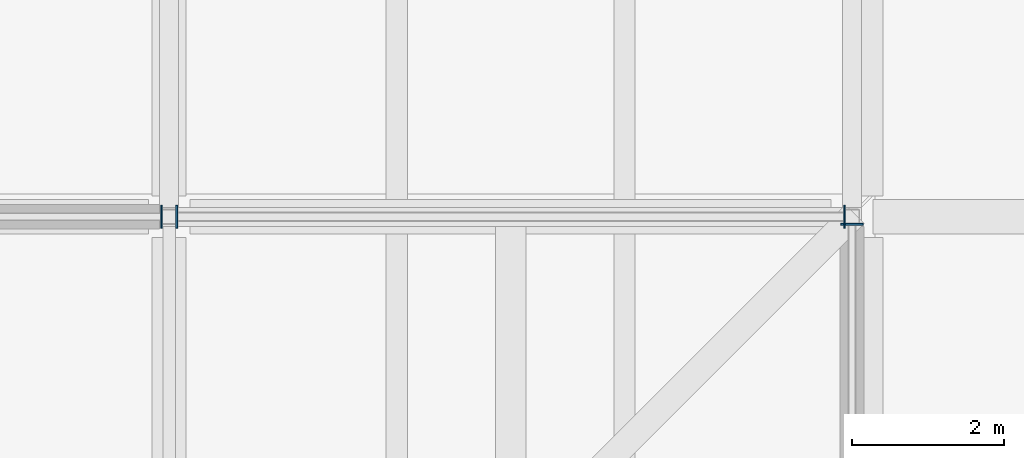
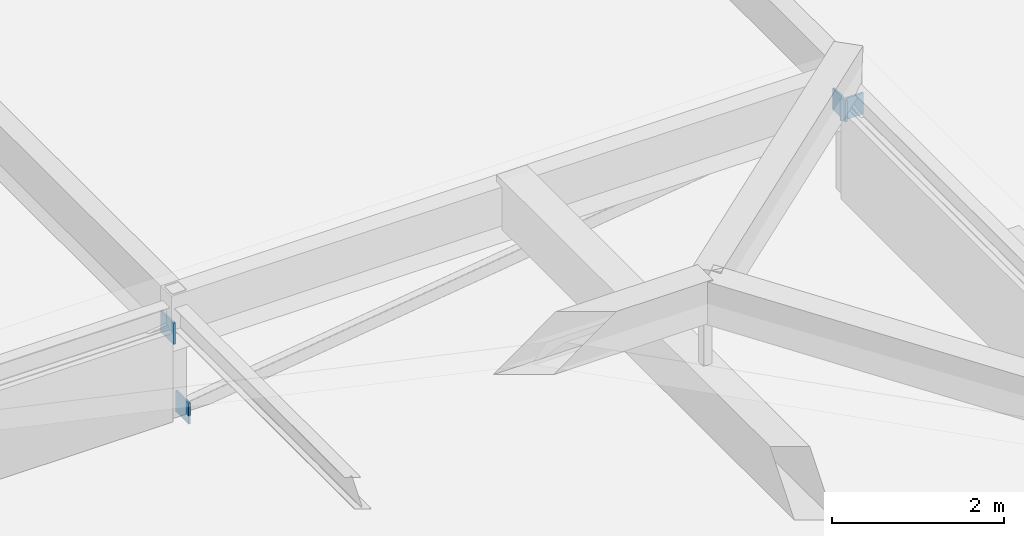
# One storey, part 48 of 56: 4 plates.
"""IFC4 building model written with IfcOpenShell, lengths in metres."""

import ifcopenshell
import ifcopenshell.guid

model = None  # the IFC model being written
_history = None  # IfcOwnerHistory: only IFC2X3 demands one
_inside = {}  # id of a spatial element -> (the spatial element, [elements in it])
_under = {}  # id of a project, library or spatial element -> (it, [spatial elements below it])
_declared = {}  # id of a project -> (the project, [libraries it declares])
_typed = {}  # id of a type object -> (the type object, [elements of that type])
_made_of = {}  # id of a material, layer set ... -> (it, [elements and type objects made of it])


def new_model(schema):
    """Start an empty IFC model of exactly this schema.

    Asked for "IFC4X3", IfcOpenShell would pick the latest addendum, in which some entities
    have other attributes; the version numbers below select the first issue.
    IFC2X3 requires an IfcOwnerHistory on every rooted entity: one is made here for all.
    """
    global model, _history
    if schema == "IFC4X3":
        model = ifcopenshell.file(schema_version=(4, 3, 0, 0))
    else:
        model = ifcopenshell.file(schema=schema)
    _inside.clear()
    _under.clear()
    _declared.clear()
    _typed.clear()
    _made_of.clear()
    _history = None
    if model.schema == "IFC2X3":
        org = make("IfcOrganization", Name="unknown")
        user = make(
            "IfcPersonAndOrganization",
            ThePerson=make("IfcPerson", FamilyName="unknown"),
            TheOrganization=org,
        )
        app = make(
            "IfcApplication",
            ApplicationDeveloper=org,
            Version="unknown",
            ApplicationFullName="unknown",
            ApplicationIdentifier="unknown",
        )
        _history = make(
            "IfcOwnerHistory",
            OwningUser=user,
            OwningApplication=app,
            ChangeAction="ADDED",
            CreationDate=0,
        )
    return model


def make(cls, **values):
    """One entity of the class cls with the attributes given. An attribute that is None is left unset."""
    return model.create_entity(
        cls, **{name: value for name, value in values.items() if value is not None}
    )


def rooted(cls, **values):
    """An entity with a GlobalId (a new one), such as an element, a storey or a relation."""
    return make(cls, GlobalId=ifcopenshell.guid.new(), OwnerHistory=_history, **values)


def si_unit(unit_type, name, prefix=None):
    """IfcSIUnit, for example si_unit("LENGTHUNIT", "METRE", prefix="MILLI")."""
    return make("IfcSIUnit", UnitType=unit_type, Prefix=prefix, Name=name)


def assignment(units):
    """IfcUnitAssignment: the units of a project."""
    return None if units is None else make("IfcUnitAssignment", Units=units)


def point(xyz):
    """IfcCartesianPoint."""
    return None if xyz is None else make("IfcCartesianPoint", Coordinates=xyz)


def direction(xyz):
    """IfcDirection."""
    return None if xyz is None else make("IfcDirection", DirectionRatios=xyz)


def frame(location, z_axis=None, x_axis=None):
    """IfcAxis2Placement3D, a coordinate frame: its origin and axes. An axis left out is left unset."""
    return make(
        "IfcAxis2Placement3D",
        Location=point(location),
        Axis=direction(z_axis),
        RefDirection=direction(x_axis),
    )


def frame_2d(location, x_axis=None):
    """IfcAxis2Placement2D, a coordinate frame in the plane: its origin and x axis."""
    return make(
        "IfcAxis2Placement2D", Location=point(location), RefDirection=direction(x_axis)
    )


def origin():
    """The frame at (0, 0, 0) with its axes left unset."""
    return frame((0.0, 0.0, 0.0))


def origin_2d():
    """The frame at (0, 0) in the plane with its x axis left unset."""
    return frame_2d((0.0, 0.0))


def place(relative_to, where):
    """IfcLocalPlacement: puts the frame where relative to a parent placement (None: the world)."""
    return make(
        "IfcLocalPlacement", PlacementRelTo=relative_to, RelativePlacement=where
    )


def context(
    kind, dimensions, precision=None, world=None, true_north=None, identifier=None
):
    """IfcGeometricRepresentationContext, for example the 3D "Model" context."""
    return make(
        "IfcGeometricRepresentationContext",
        ContextIdentifier=identifier,
        ContextType=kind,
        CoordinateSpaceDimension=dimensions,
        Precision=precision,
        WorldCoordinateSystem=world,
        TrueNorth=true_north,
    )


def subcontext(parent, identifier, kind, view, scale=None):
    """IfcGeometricRepresentationSubContext, for example "Body" below "Model"."""
    return make(
        "IfcGeometricRepresentationSubContext",
        ContextIdentifier=identifier,
        ContextType=kind,
        ParentContext=parent,
        TargetScale=scale,
        TargetView=view,
    )


def project(units=None, contexts=None):
    """IfcProject with its units and contexts."""
    return rooted(
        "IfcProject",
        Name="project",
        RepresentationContexts=contexts,
        UnitsInContext=assignment(units),
    )


def spatial(cls, under=None, at=None, **own):
    """A site, building, storey or space (cls), placed at a placement, below another one or the project."""
    s = rooted(cls, ObjectPlacement=at, **own)
    if under is not None:
        _under.setdefault(under.id(), (under, []))[1].append(s)
    return s


def profile(cls, at=None, kind="AREA", **sizes):
    """A parametric profile (cls). Its sizes go by their IFC names, for example OverallWidth=200.0."""
    return make(cls, ProfileType=kind, Position=at, **sizes)


def rectangle(**sizes):
    """IfcRectangleProfileDef."""
    return profile("IfcRectangleProfileDef", **sizes)


def extrude(swept, where, along, depth):
    """IfcExtrudedAreaSolid: the profile swept, set in the frame where, extruded along a direction by depth."""
    return make(
        "IfcExtrudedAreaSolid",
        SweptArea=swept,
        Position=where,
        ExtrudedDirection=direction(along),
        Depth=depth,
    )


def shape(context_of_items, identifier, shape_type, items):
    """IfcShapeRepresentation: the items that make up one representation, for example the "Body"."""
    return make(
        "IfcShapeRepresentation",
        ContextOfItems=context_of_items,
        RepresentationIdentifier=identifier,
        RepresentationType=shape_type,
        Items=items,
    )


def material(Name=None, Category=None):
    """IfcMaterial."""
    return make("IfcMaterial", Name=Name, Category=Category)


def layer(
    of_material, thickness, ventilated=None, Name=None, Category=None, Priority=None
):
    """IfcMaterialLayer: one layer of a wall or slab, of a material (None: an air gap)."""
    return make(
        "IfcMaterialLayer",
        Material=of_material,
        LayerThickness=thickness,
        IsVentilated=ventilated,
        Name=Name,
        Category=Category,
        Priority=Priority,
    )


def layer_set(layers, Name=None):
    """IfcMaterialLayerSet."""
    return make("IfcMaterialLayerSet", MaterialLayers=layers, LayerSetName=Name)


def made_of(thing, what):
    """Note that an element or type object is made of a material, layer set ...; save() writes the relation."""
    if what is not None:
        _made_of.setdefault(what.id(), (what, []))[1].append(thing)
    return thing


def type_object(cls, material=None, **own):
    """A type object (cls), such as IfcWallType, which elements share."""
    return made_of(rooted(cls, **own), material)


def element(
    cls,
    number,
    at=None,
    inside=None,
    cuts=None,
    type_object=None,
    material=None,
    context=None,
    identifier="Body",
    shape_type=None,
    held_by="IfcProductDefinitionShape",
    body=None,
    shapes=None,
    **own,
):
    """One element of the class cls, such as IfcWall. Its Tag is "e" and its number.

    at: its placement. inside: the storey or other place that contains it. cuts: it is an
    opening in that element (IfcRelVoidsElement). A single representation is given by context,
    identifier, shape_type and body (its items); several are given by shapes. held_by: the class
    of the entity that holds the representations. save() writes the other relations.
    """
    e = rooted(cls, Tag="e%d" % number, ObjectPlacement=at, **own)
    if body is not None:
        shapes = [shape(context, identifier, shape_type, body)]
    if shapes is not None:
        e.Representation = make(held_by, Representations=shapes)
    if inside is not None:
        _inside.setdefault(inside.id(), (inside, []))[1].append(e)
    if cuts is not None:
        rooted(
            "IfcRelVoidsElement", RelatingBuildingElement=cuts, RelatedOpeningElement=e
        )
    if type_object is not None:
        _typed.setdefault(type_object.id(), (type_object, []))[1].append(e)
    return made_of(e, material)


def aggregate(whole, parts):
    """IfcRelAggregates: a whole, such as a stair, and the parts it consists of."""
    return rooted("IfcRelAggregates", RelatingObject=whole, RelatedObjects=parts)


def save(model, path):
    """Write the relations noted so far, then the file.

    IfcRelAggregates (storeys below a building ...), IfcRelContainedInSpatialStructure (elements
    in a storey), IfcRelDefinesByType, IfcRelAssociatesMaterial and IfcRelDeclares: one each for
    every whole, place, type object, material and project.
    """
    for whole, parts in _under.values():
        aggregate(whole, parts)
    for where, things in _inside.values():
        rooted(
            "IfcRelContainedInSpatialStructure",
            RelatedElements=things,
            RelatingStructure=where,
        )
    for kind, things in _typed.values():
        rooted("IfcRelDefinesByType", RelatedObjects=things, RelatingType=kind)
    for what, things in _made_of.values():
        rooted("IfcRelAssociatesMaterial", RelatedObjects=things, RelatingMaterial=what)
    for by, libraries in _declared.values():
        rooted("IfcRelDeclares", RelatingContext=by, RelatedDefinitions=libraries)
    model.write(path)


model = new_model("IFC4")

# Units and contexts
model_context = context("Model", 3, precision=1e-05, world=origin(), true_north=direction((0.0, 1.0)))
body_context = subcontext(model_context, "Body", "Model", "MODEL_VIEW")
ifc_project = project(units=[si_unit("LENGTHUNIT", "METRE"), si_unit("AREAUNIT", "SQUARE_METRE"), si_unit("VOLUMEUNIT", "CUBIC_METRE"), si_unit("PLANEANGLEUNIT", "RADIAN"), si_unit("MASSUNIT", "GRAM", prefix="KILO")], contexts=[model_context])

# Site, building, storey
site_placement = place(None, origin())
site = spatial("IfcSite", under=ifc_project, at=site_placement, CompositionType="ELEMENT")
building_placement = place(site_placement, origin())
building = spatial("IfcBuilding", under=site, at=building_placement, Name="Zacnel Wholesale Market", CompositionType="ELEMENT")
storey_placement = place(building_placement, frame((0.0, 0.0, 20.300048828125)))
storey = spatial("IfcBuildingStorey", under=building, at=storey_placement, Name="RF", CompositionType="ELEMENT", Elevation=20.300048828125)

# Plates
ifc_material = material(Name="Steel S355", Category="steel")
ifc_layer = layer(ifc_material, 0.02490234375)
ifc_layer_set = layer_set([ifc_layer], Name="Steel S355")
plate_type = type_object("IfcPlateType", Name="PLT-EMB-300X25", PredefinedType="SHEET", material=ifc_layer_set)
for number, where, z_axis, x_axis, name in (
    (1, (54.10009765625, 75.0, -0.0703125), (0.0, 0.0, 1.0), (0.0, 1.0, 0.0), "Cast-in embed plate RPF-02-A"),
    (2, (62.89990234375, 75.0, 1.1298828125), (0.0, 0.0, 1.0), (0.0, 1.0, 0.0), "Cast-in embed plate RPF-02-B"),
    (3, (63.0, 74.89990234375, 1.1298828125), (0.0, 0.0, 1.0), (1.0, 0.0, 0.0), "Cast-in embed plate RPF-04-B"),
    (4, (53.89990234375, 75.0, 1.1298828125), (0.0, 0.0, 1.0), (0.0, 1.0, 0.0), "Cast-in embed plate RPF-05-B"),
):
    element("IfcPlate", number, at=place(storey_placement, frame(where, z_axis=z_axis, x_axis=x_axis)), inside=storey, type_object=plate_type, Name=name, PredefinedType="SHEET", context=body_context, shape_type="SweptSolid", body=[
        extrude(rectangle(XDim=0.300048828125, YDim=0.02490234375, at=origin_2d()), origin(), (0.0, 0.0, 1.0), 0.300048828125),
    ])

save(model, "model.ifc")
